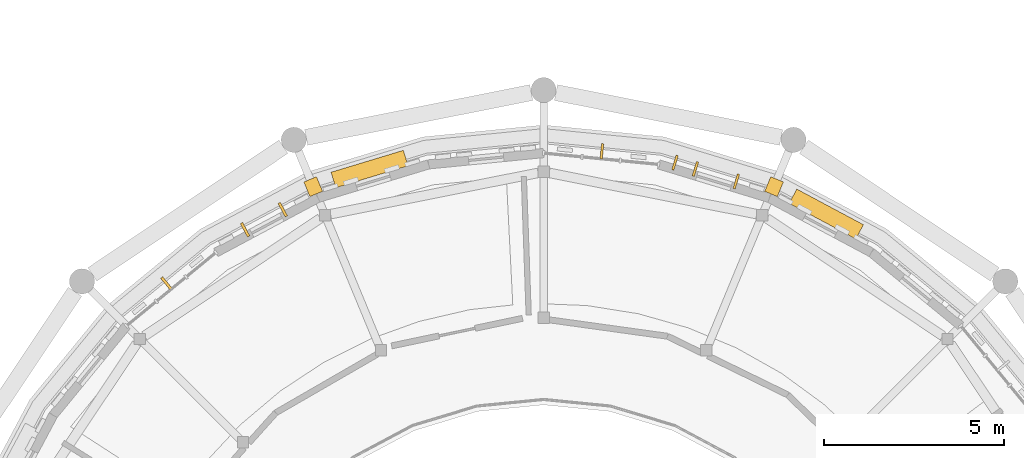
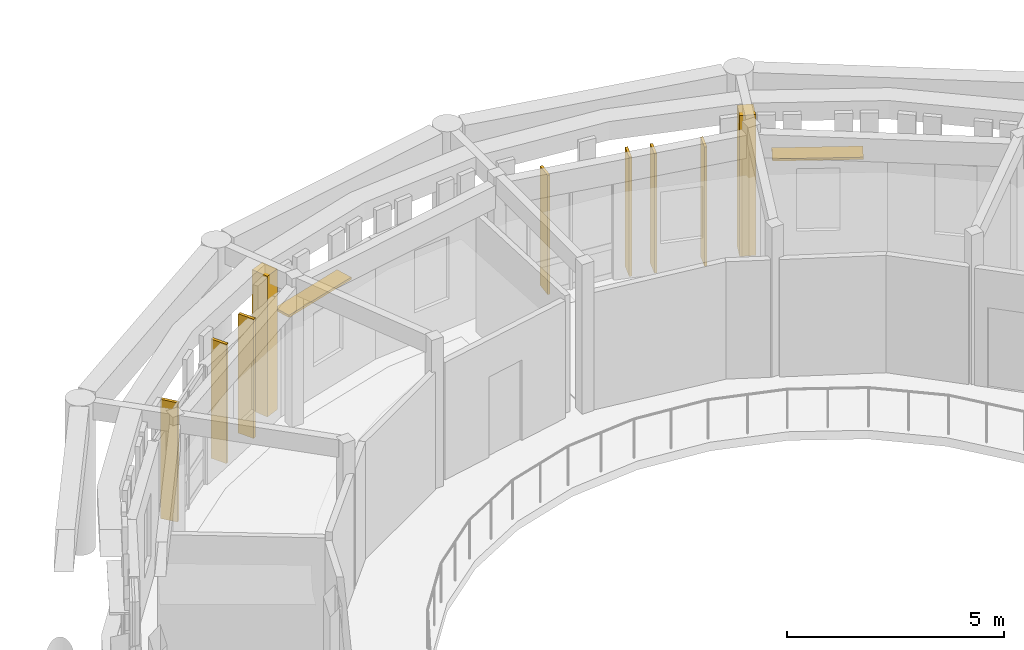
# One storey, part 72 of 80: 9 shading devices, 2 coverings.
"""IFC4 building model written with IfcOpenShell, lengths in metres."""

from ifc_helpers import new_model, si_unit, direction, frame, origin, origin_2d, place, context, subcontext, project, spatial, rectangle, extrude, material, layer, layer_set, type_object, element, save


model = new_model("IFC4")

# Units and contexts
model_context = context("Model", 3, precision=1e-05, world=origin(), true_north=direction((0.0, 1.0)))
body_context = subcontext(model_context, "Body", "Model", "MODEL_VIEW")
ifc_project = project(units=[si_unit("LENGTHUNIT", "METRE"), si_unit("AREAUNIT", "SQUARE_METRE"), si_unit("VOLUMEUNIT", "CUBIC_METRE"), si_unit("PLANEANGLEUNIT", "RADIAN"), si_unit("MASSUNIT", "GRAM", prefix="KILO")], contexts=[model_context])

# Site, building, storey
site_placement = place(None, origin())
site = spatial("IfcSite", under=ifc_project, at=site_placement, CompositionType="ELEMENT")
building_placement = place(site_placement, origin())
building = spatial("IfcBuilding", under=site, at=building_placement, Name="Aldenvaro Health Centre", CompositionType="ELEMENT")
storey_placement = place(building_placement, frame((0.0, 0.0, 4.550048828125)))
storey = spatial("IfcBuildingStorey", under=building, at=storey_placement, Name="L01", CompositionType="ELEMENT", Elevation=4.550048828125)

# Coverings
ifc_material_1 = material(Name="Honed Sonoran Buff Limestone", Category="masonry")
ifc_layer = layer(ifc_material_1, 0.280029296875, Name="Honed Sonoran Buff Limestone", Category="masonry")
ifc_layer_set = layer_set([ifc_layer], Name="Honed Sonoran Buff Limestone")
covering_type = type_object("IfcCoveringType", Name="COV-CRN-STN", PredefinedType="CLADDING", material=ifc_layer_set)
for number, where, z_axis, x_axis, name in (
    (1, (80.593994140625, 35.466064453125, 0.0), (0.0, 0.0, 1.0), (-0.382674902345, 0.923883065715, 0.0), "D1 L01 Engaged Classical Limestone Pilaster 12"),
    (2, (93.406005859375, 35.466064453125, 0.0), (0.0, 0.0, 1.0), (0.382674902345, 0.923883065715, 0.0), "D1 L01 Engaged Classical Limestone Pilaster 14"),
):
    element("IfcCovering", number, at=place(storey_placement, frame(where, z_axis=z_axis, x_axis=x_axis)), inside=storey, type_object=covering_type, Name=name, PredefinedType="CLADDING", context=body_context, shape_type="SweptSolid", body=[
        extrude(rectangle(XDim=0.43994140625, YDim=0.3798828125, at=origin_2d()), origin(), (0.0, 0.0, 1.0), 3.9599609375),
    ])

# Shading devices
ifc_material_2 = material(Name="Douglas Fir Exterior Glulam GL28h", Category="wood")
shading_device_type_1 = type_object("IfcShadingDeviceType", Name="SHD-FIN-340", PredefinedType="USERDEFINED", material=ifc_material_2)
for number, where, z_axis, x_axis, name in (
    (3, (78.699951171875, 34.26806640625, -0.02001953125), (0.0, 0.0, 1.0), (0.88183578132, 0.471556629455, 0.0), "D1 L01 Douglas fir fin 22.2"),
    (4, (79.748046875, 34.827880859375, -0.02001953125), (0.0, 0.0, 1.0), (0.88183578132, 0.471556629455, 0.0), "D1 L01 Douglas fir fin 22.4"),
):
    element("IfcShadingDevice", number, at=place(storey_placement, frame(where, z_axis=z_axis, x_axis=x_axis)), inside=storey, type_object=shading_device_type_1, Name=name, ObjectType="FIN", PredefinedType="USERDEFINED", context=body_context, shape_type="SweptSolid", body=[
        extrude(rectangle(XDim=0.074951171875, YDim=0.419921875, at=origin_2d()), origin(), (0.0, 0.0, 1.0), 3.35400390625),
    ])
shading_device_type_2 = type_object("IfcShadingDeviceType", Name="SHD-FIN-380", PredefinedType="USERDEFINED", material=ifc_material_2)
shading_device_1_placement = place(storey_placement, frame((76.512939453125, 32.779052734375, -0.02001953125), z_axis=(0.0, 0.0, 1.0), x_axis=(0.773194586776, 0.634168850528, 0.0)))
element("IfcShadingDevice", 5, at=shading_device_1_placement, inside=storey, type_object=shading_device_type_2, Name="D1 L01 vertical timber fin 21.0", ObjectType="FIN", PredefinedType="USERDEFINED", context=body_context, shape_type="SweptSolid", body=[
    extrude(rectangle(XDim=0.074951171875, YDim=0.419921875, at=origin_2d()), origin(), (0.0, 0.0, 1.0), 3.35400390625),
])
shading_device_type_3 = type_object("IfcShadingDeviceType", Name="SHD-FIN-400", PredefinedType="USERDEFINED", material=ifc_material_2)
for number, where, z_axis, x_axis, name in (
    (6, (90.652099609375, 36.131103515625, -0.02001953125), (0.0, 0.0, 1.0), (0.95697469172, -0.290171396605, 0.0), "D1 L01 Douglas fir fin 26.1"),
    (7, (91.219970703125, 35.9580078125, -0.02001953125), (0.0, 0.0, 1.0), (0.95697469172, -0.290171396605, 0.0), "D1 L01 Douglas fir fin 26.2"),
    (8, (92.35693359375, 35.614013671875, -0.02001953125), (0.0, 0.0, 1.0), (0.95697469172, -0.290171396605, 0.0), "D1 L01 Douglas fir fin 26.4"),
):
    element("IfcShadingDevice", number, at=place(storey_placement, frame(where, z_axis=z_axis, x_axis=x_axis)), inside=storey, type_object=shading_device_type_3, Name=name, ObjectType="FIN", PredefinedType="USERDEFINED", context=body_context, shape_type="SweptSolid", body=[
        extrude(rectangle(XDim=0.06494140625, YDim=0.419921875, at=origin_2d()), origin(), (0.0, 0.0, 1.0), 3.35400390625),
    ])
shading_device_type_4 = type_object("IfcShadingDeviceType", Name="SHD-FIN-420", PredefinedType="USERDEFINED", material=ifc_material_2)
shading_device_2_placement = place(storey_placement, frame((88.6201171875, 36.450927734375, -0.02001953125), z_axis=(0.0, 0.0, 1.0), x_axis=(0.995186971968, -0.097994340783, 0.0)))
element("IfcShadingDevice", 9, at=shading_device_2_placement, inside=storey, type_object=shading_device_type_4, Name="D1 L01 vertical timber fin 25.0", ObjectType="FIN", PredefinedType="USERDEFINED", context=body_context, shape_type="SweptSolid", body=[
    extrude(rectangle(XDim=0.06494140625, YDim=0.419921875, at=origin_2d()), origin(), (0.0, 0.0, 1.0), 3.35400390625),
])
shading_device_type_5 = type_object("IfcShadingDeviceType", Name="SHD-LVR-210", PredefinedType="JALOUSIE", material=ifc_material_2)
for number, where, z_axis, x_axis, name in (
    (10, (82.160888671875, 35.9560546875, 2.3974609375), (0.0, 0.0, 1.0), (0.95697469172, 0.290171396605, 0.0), "D1 L01 horizontal solar louvre 23"),
    (11, (94.85888671875, 34.705078125, 2.6474609375), (0.0, 0.0, 1.0), (0.88183578132, -0.471556629455, 0.0), "D1 L01 horizontal solar louvre 27"),
):
    element("IfcShadingDevice", number, at=place(storey_placement, frame(where, z_axis=z_axis, x_axis=x_axis)), inside=storey, type_object=shading_device_type_5, Name=name, PredefinedType="JALOUSIE", context=body_context, shape_type="SweptSolid", body=[
        extrude(rectangle(XDim=2.10009765625, YDim=0.449951171875, at=origin_2d()), origin(), (0.0, 0.0, 1.0), 0.06494140625),
    ])

save(model, "model.ifc")
